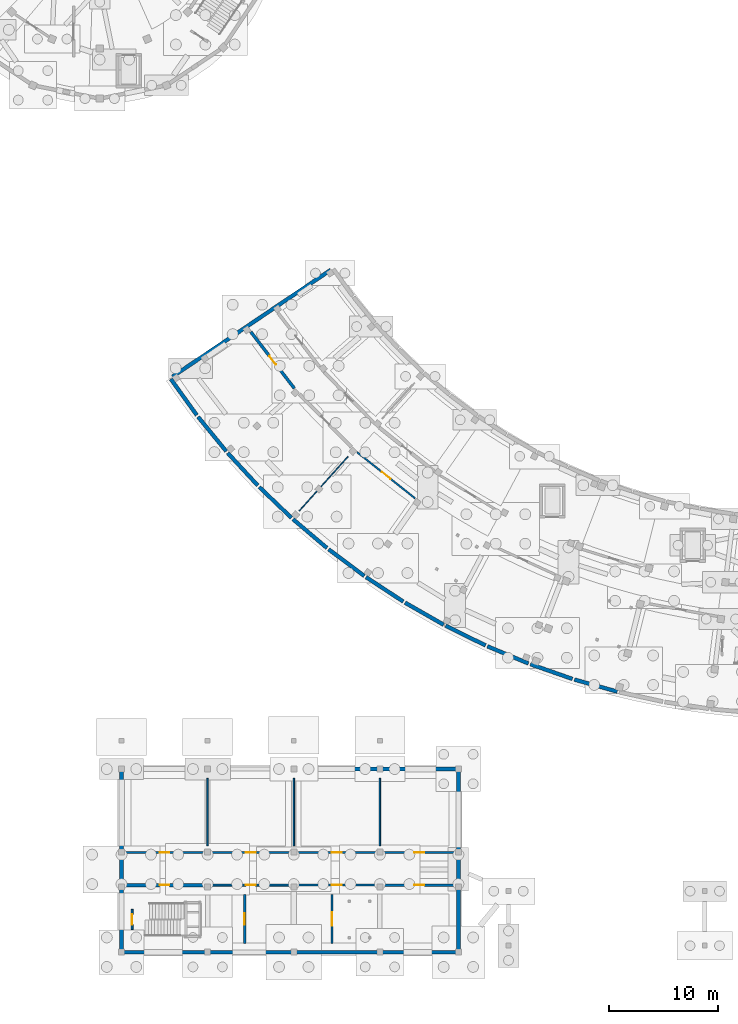
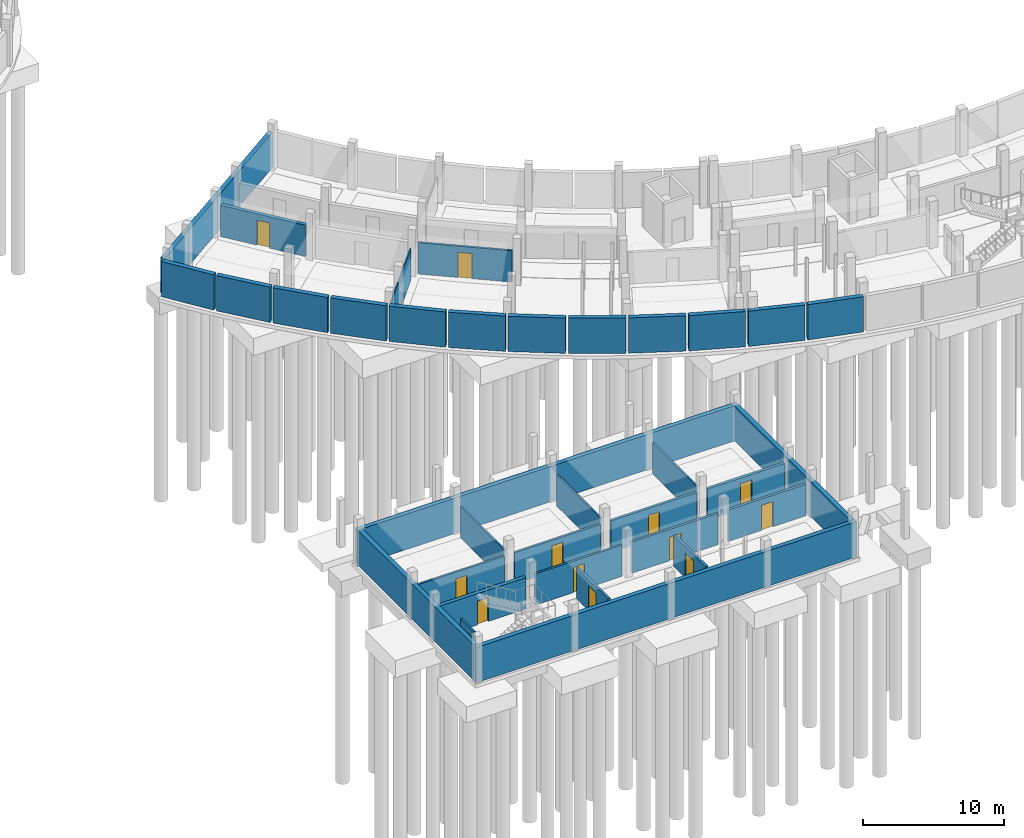
# One storey, part 39 of 58: 34 walls, 13 doors, 13 openings.
"""IFC4 building model written with IfcOpenShell, lengths in metres."""

from ifc_helpers import new_model, si_unit, direction, frame, frame_2d, origin, place, context, subcontext, project, spatial, rectangle, extrude, material, layer, layer_set, type_object, element, fill, save


model = new_model("IFC4")

# Units and contexts
model_context = context("Model", 3, precision=1e-05, world=origin(), true_north=direction((0.0, 1.0)))
body_context = subcontext(model_context, "Body", "Model", "MODEL_VIEW")
ifc_project = project(units=[si_unit("LENGTHUNIT", "METRE"), si_unit("AREAUNIT", "SQUARE_METRE"), si_unit("VOLUMEUNIT", "CUBIC_METRE"), si_unit("PLANEANGLEUNIT", "RADIAN"), si_unit("MASSUNIT", "GRAM", prefix="KILO")], contexts=[model_context])

# Site, building, storey
site_placement = place(None, origin())
site = spatial("IfcSite", under=ifc_project, at=site_placement, CompositionType="ELEMENT")
building_placement = place(site_placement, origin())
building = spatial("IfcBuilding", under=site, at=building_placement, Name="Caldaven Crescent School", CompositionType="ELEMENT")
storey_placement = place(building_placement, frame((0.0, 0.0, -4.080078125)))
storey = spatial("IfcBuildingStorey", under=building, at=storey_placement, Name="B1", CompositionType="ELEMENT", Elevation=-4.080078125)

# Wall, opening, door
ifc_material_1 = material(Name="Acoustic timber-stud and fire-rated gypsum board assembly", Category="wood")
ifc_layer_1 = layer(ifc_material_1, 0.159912109375)
ifc_layer_set_1 = layer_set([ifc_layer_1], Name="Acoustic timber-stud and fire-rated gypsum board assembly")
wall_type_1 = type_object("IfcWallType", Name="WAL-IW01", PredefinedType="STANDARD", material=ifc_layer_set_1)
wall_1_placement = place(storey_placement, frame((25.919921875, 13.35009765625, 0.0), z_axis=(0.0, 0.0, 1.0), x_axis=(1.0, 0.0, 0.0)))
wall_1 = element("IfcWall", 1, at=wall_1_placement, inside=storey, type_object=wall_type_1, Name="IW-B1-0096", PredefinedType="STANDARD", context=body_context, shape_type="SweptSolid", body=[
    extrude(rectangle(XDim=7.06005859375, YDim=0.159912109375, at=frame_2d((3.530029296875, 0.0))), origin(), (0.0, 0.0, 1.0), 2.719970703125),
])
opening_1_placement = place(wall_1_placement, frame((3.080078125, 0.0, 0.0)))
opening_1 = element("IfcOpeningElement", 2, at=opening_1_placement, cuts=wall_1, Name="Opening D-B1-I065", PredefinedType="OPENING", context=body_context, shape_type="SweptSolid", body=[
    extrude(rectangle(XDim=0.89990234375, YDim=2.1201171875, at=frame_2d((0.449951171875, 1.06005859375))), frame((0.0, 0.08984375, 0.0), z_axis=(0.0, -1.0, 0.0), x_axis=(1.0, 0.0, 0.0)), (0.0, 0.0, 1.0), 0.179931640625),
])
ifc_material_2 = material(Name="Solid-core Pino Radiata acoustic timber leaf in steel frame", Category="steel")
door_type_1 = type_object("IfcDoorType", Name="DOR-ID06", OperationType="NOTDEFINED", PredefinedType="DOOR", material=ifc_material_2)
door_1_placement = place(opening_1_placement, frame((0.89990234375, 0.0, 0.0), z_axis=(0.0, 0.0, 1.0), x_axis=(-1.0, 0.0, 0.0)))
door_1 = element("IfcDoor", 3, at=door_1_placement, inside=storey, type_object=door_type_1, Name="DOR-INT-B1-0065", OperationType="SINGLE_SWING_RIGHT", OverallHeight=2.1201171875, OverallWidth=0.89990234375, PredefinedType="DOOR", context=body_context, shape_type="SweptSolid", body=[
    extrude(rectangle(XDim=0.89990234375, YDim=2.1201171875, at=frame_2d((0.449951171875, 1.06005859375))), frame((0.0, 0.02490234375, 0.0), z_axis=(0.0, -1.0, 0.0), x_axis=(1.0, 0.0, 0.0)), (0.0, 0.0, 1.0), 0.050048828125),
])
fill(opening_1, door_1)

wall_2_placement = place(storey_placement, frame((47.11669921875, 50.0576171875, 0.0), z_axis=(0.0, 0.0, 1.0), x_axis=(0.782615780998, -0.622505051653, 0.0)))
wall_2 = element("IfcWall", 4, at=wall_2_placement, inside=storey, type_object=wall_type_1, Name="IW-B1-0144", PredefinedType="STANDARD", context=body_context, shape_type="SweptSolid", body=[
    extrude(rectangle(XDim=6.79150390625, YDim=0.159912109375, at=frame_2d((3.395751953125, 0.0))), origin(), (0.0, 0.0, 1.0), 2.719970703125),
])
opening_2_placement = place(wall_2_placement, frame((2.8857421875, 0.0, 0.0)))
opening_2 = element("IfcOpeningElement", 5, at=opening_2_placement, cuts=wall_2, Name="Opening D-B1-I098", PredefinedType="OPENING", context=body_context, shape_type="SweptSolid", body=[
    extrude(rectangle(XDim=1.02001953125, YDim=2.179931640625, at=frame_2d((0.510009765625, 1.08984375))), frame((0.0, 0.08984375, 0.0), z_axis=(0.0, -1.0, 0.0), x_axis=(1.0, 0.0, 0.0)), (0.0, 0.0, 1.0), 0.179931640625),
])
door_type_2 = type_object("IfcDoorType", Name="DOR-ID19", OperationType="NOTDEFINED", PredefinedType="DOOR", material=ifc_material_2)
door_2_placement = place(opening_2_placement, origin())
door_2 = element("IfcDoor", 6, at=door_2_placement, inside=storey, type_object=door_type_2, Name="DOR-INT-B1-0098", OperationType="SINGLE_SWING_LEFT", OverallHeight=2.179931640625, OverallWidth=1.02001953125, PredefinedType="DOOR", context=body_context, shape_type="SweptSolid", body=[
    extrude(rectangle(XDim=1.02001953125, YDim=2.179931640625, at=frame_2d((0.510009765625, 1.08984375))), frame((0.0, 0.02490234375, 0.0), z_axis=(0.0, -1.0, 0.0), x_axis=(1.0, 0.0, 0.0)), (0.0, 0.0, 1.0), 0.050048828125),
])
fill(opening_2, door_2)

ifc_layer_2 = layer(ifc_material_1, 0.169921875)
ifc_layer_set_2 = layer_set([ifc_layer_2], Name="Acoustic timber-stud and fire-rated gypsum board assembly")
wall_type_2 = type_object("IfcWallType", Name="WAL-IW02", PredefinedType="STANDARD", material=ifc_layer_set_2)
wall_3_placement = place(storey_placement, frame((26.469970703125, 6.280029296875, 0.0), z_axis=(0.0, 0.0, 1.0), x_axis=(0.0, 1.0, 0.0)))
wall_3 = element("IfcWall", 7, at=wall_3_placement, inside=storey, type_object=wall_type_2, Name="IW-ST-STB2-B1", PredefinedType="STANDARD", context=body_context, shape_type="SweptSolid", body=[
    extrude(rectangle(XDim=1.840087890625, YDim=0.169921875, at=frame_2d((0.919921875, 0.0))), origin(), (0.0, 0.0, 1.0), 2.719970703125),
])
opening_3_placement = place(wall_3_placement, frame((0.429931640625, 0.0, 0.0)))
opening_3 = element("IfcOpeningElement", 8, at=opening_3_placement, cuts=wall_3, Name="Opening FD-STB2-B1", PredefinedType="OPENING", context=body_context, shape_type="SweptSolid", body=[
    extrude(rectangle(XDim=0.97998046875, YDim=2.139892578125, at=frame_2d((0.489990234375, 1.06982421875))), frame((0.0, 0.094970703125, 0.0), z_axis=(0.0, -1.0, 0.0), x_axis=(1.0, 0.0, 0.0)), (0.0, 0.0, 1.0), 0.18994140625),
])
ifc_material_3 = material(Name="Acoustic fire-rated steel-framed hardwood leaf", Category="steel")
door_type_3 = type_object("IfcDoorType", Name="DOR-FD02", OperationType="NOTDEFINED", PredefinedType="DOOR", material=ifc_material_3)
door_3_placement = place(opening_3_placement, frame((0.97998046875, 0.0, 0.0), z_axis=(0.0, 0.0, 1.0), x_axis=(-1.0, 0.0, 0.0)))
door_3 = element("IfcDoor", 9, at=door_3_placement, inside=storey, type_object=door_type_3, Name="DOR-ST-STB2-B1", OperationType="SINGLE_SWING_LEFT", OverallHeight=2.139892578125, OverallWidth=0.97998046875, PredefinedType="DOOR", context=body_context, shape_type="SweptSolid", body=[
    extrude(rectangle(XDim=0.97998046875, YDim=2.139892578125, at=frame_2d((0.489990234375, 1.06982421875))), frame((0.0, 0.02490234375, 0.0), z_axis=(0.0, -1.0, 0.0), x_axis=(1.0, 0.0, 0.0)), (0.0, 0.0, 1.0), 0.050048828125),
])
fill(opening_3, door_3)

wall_4_placement = place(storey_placement, frame((33.820068359375, 10.35009765625, 0.0), z_axis=(0.0, 0.0, 1.0), x_axis=(1.0, 0.0, 0.0)))
wall_4 = element("IfcWall", 10, at=wall_4_placement, inside=storey, type_object=wall_type_2, Name="IW-B1-0097", PredefinedType="STANDARD", context=body_context, shape_type="SweptSolid", body=[
    extrude(rectangle(XDim=7.059814453125, YDim=0.169921875, at=frame_2d((3.52978515625, 0.0))), origin(), (0.0, 0.0, 1.0), 2.719970703125),
])
opening_4_placement = place(wall_4_placement, frame((3.080078125, 0.0, 0.0)))
opening_4 = element("IfcOpeningElement", 11, at=opening_4_placement, cuts=wall_4, Name="Opening D-B1-I066", PredefinedType="OPENING", context=body_context, shape_type="SweptSolid", body=[
    extrude(rectangle(XDim=0.89990234375, YDim=2.179931640625, at=frame_2d((0.449951171875, 1.08984375))), frame((0.0, 0.094970703125, 0.0), z_axis=(0.0, -1.0, 0.0), x_axis=(1.0, 0.0, 0.0)), (0.0, 0.0, 1.0), 0.18994140625),
])
door_type_4 = type_object("IfcDoorType", Name="DOR-ID07", OperationType="NOTDEFINED", PredefinedType="DOOR", material=ifc_material_2)
door_4_placement = place(opening_4_placement, origin())
door_4 = element("IfcDoor", 12, at=door_4_placement, inside=storey, type_object=door_type_4, Name="DOR-INT-B1-0066", OperationType="SINGLE_SWING_LEFT", OverallHeight=2.179931640625, OverallWidth=0.89990234375, PredefinedType="DOOR", context=body_context, shape_type="SweptSolid", body=[
    extrude(rectangle(XDim=0.89990234375, YDim=2.179931640625, at=frame_2d((0.449951171875, 1.08984375))), frame((0.0, 0.02490234375, 0.0), z_axis=(0.0, -1.0, 0.0), x_axis=(1.0, 0.0, 0.0)), (0.0, 0.0, 1.0), 0.050048828125),
])
fill(opening_4, door_4)

ifc_layer_3 = layer(ifc_material_1, 0.179931640625)
ifc_layer_set_3 = layer_set([ifc_layer_3], Name="Acoustic timber-stud and fire-rated gypsum board assembly")
wall_type_3 = type_object("IfcWallType", Name="WAL-IW03", PredefinedType="STANDARD", material=ifc_layer_set_3)
wall_5_placement = place(storey_placement, frame((33.820068359375, 13.35009765625, 0.0), z_axis=(0.0, 0.0, 1.0), x_axis=(1.0, 0.0, 0.0)))
wall_5 = element("IfcWall", 13, at=wall_5_placement, inside=storey, type_object=wall_type_3, Name="IW-B1-0098", PredefinedType="STANDARD", context=body_context, shape_type="SweptSolid", body=[
    extrude(rectangle(XDim=7.059814453125, YDim=0.179931640625, at=frame_2d((3.52978515625, 0.0))), origin(), (0.0, 0.0, 1.0), 2.719970703125),
])
opening_5_placement = place(wall_5_placement, frame((3.080078125, 0.0, 0.0)))
opening_5 = element("IfcOpeningElement", 14, at=opening_5_placement, cuts=wall_5, Name="Opening D-B1-I067", PredefinedType="OPENING", context=body_context, shape_type="SweptSolid", body=[
    extrude(rectangle(XDim=0.89990234375, YDim=2.239990234375, at=frame_2d((0.449951171875, 1.1201171875))), frame((0.0, 0.099853515625, 0.0), z_axis=(0.0, -1.0, 0.0), x_axis=(1.0, 0.0, 0.0)), (0.0, 0.0, 1.0), 0.199951171875),
])
door_type_5 = type_object("IfcDoorType", Name="DOR-ID08", OperationType="NOTDEFINED", PredefinedType="DOOR", material=ifc_material_2)
door_5_placement = place(opening_5_placement, frame((0.89990234375, 0.0, 0.0), z_axis=(0.0, 0.0, 1.0), x_axis=(-1.0, 0.0, 0.0)))
door_5 = element("IfcDoor", 15, at=door_5_placement, inside=storey, type_object=door_type_5, Name="DOR-INT-B1-0067", OperationType="SINGLE_SWING_RIGHT", OverallHeight=2.239990234375, OverallWidth=0.89990234375, PredefinedType="DOOR", context=body_context, shape_type="SweptSolid", body=[
    extrude(rectangle(XDim=0.89990234375, YDim=2.239990234375, at=frame_2d((0.449951171875, 1.1201171875))), frame((0.0, 0.02490234375, 0.0), z_axis=(0.0, -1.0, 0.0), x_axis=(1.0, 0.0, 0.0)), (0.0, 0.0, 1.0), 0.050048828125),
])
fill(opening_5, door_5)

ifc_layer_4 = layer(ifc_material_1, 0.18994140625)
ifc_layer_set_4 = layer_set([ifc_layer_4], Name="Acoustic timber-stud and fire-rated gypsum board assembly")
wall_type_4 = type_object("IfcWallType", Name="WAL-IW04", PredefinedType="STANDARD", material=ifc_layer_set_4)
wall_6_placement = place(storey_placement, frame((36.800048828125, 5.0, 0.0), z_axis=(0.0, 0.0, 1.0), x_axis=(0.0, 1.0, 0.0)))
wall_6 = element("IfcWall", 16, at=wall_6_placement, inside=storey, type_object=wall_type_4, Name="IW-FD-04", PredefinedType="STANDARD", context=body_context, shape_type="SweptSolid", body=[
    extrude(rectangle(XDim=4.5, YDim=0.18994140625, at=frame_2d((2.25, 0.0))), origin(), (0.0, 0.0, 1.0), 2.719970703125),
])
opening_6_placement = place(wall_6_placement, frame((1.7099609375, 0.0, 0.0)))
opening_6 = element("IfcOpeningElement", 17, at=opening_6_placement, cuts=wall_6, Name="Opening FD-X04", PredefinedType="OPENING", context=body_context, shape_type="SweptSolid", body=[
    extrude(rectangle(XDim=1.080078125, YDim=2.159912109375, at=frame_2d((0.5400390625, 1.080078125))), frame((0.0, 0.10498046875, 0.0), z_axis=(0.0, -1.0, 0.0), x_axis=(1.0, 0.0, 0.0)), (0.0, 0.0, 1.0), 0.2099609375),
])
door_type_6 = type_object("IfcDoorType", Name="DOR-FD04", OperationType="NOTDEFINED", PredefinedType="DOOR", material=ifc_material_3)
door_6_placement = place(opening_6_placement, frame((1.080078125, 0.0, 0.0), z_axis=(0.0, 0.0, 1.0), x_axis=(-1.0, 0.0, 0.0)))
door_6 = element("IfcDoor", 18, at=door_6_placement, inside=storey, type_object=door_type_6, Name="DOR-FD-EXTRA-04", OperationType="DOUBLE_DOOR_SINGLE_SWING", OverallHeight=2.159912109375, OverallWidth=1.080078125, PredefinedType="DOOR", context=body_context, shape_type="SweptSolid", body=[
    extrude(rectangle(XDim=1.080078125, YDim=2.159912109375, at=frame_2d((0.5400390625, 1.080078125))), frame((0.0, 0.02490234375, 0.0), z_axis=(0.0, -1.0, 0.0), x_axis=(1.0, 0.0, 0.0)), (0.0, 0.0, 1.0), 0.050048828125),
])
fill(opening_6, door_6)

wall_7_placement = place(storey_placement, frame((41.719970703125, 10.35009765625, 0.0), z_axis=(0.0, 0.0, 1.0), x_axis=(1.0, 0.0, 0.0)))
wall_7 = element("IfcWall", 19, at=wall_7_placement, inside=storey, type_object=wall_type_4, Name="IW-B1-0099", PredefinedType="STANDARD", context=body_context, shape_type="SweptSolid", body=[
    extrude(rectangle(XDim=7.06005859375, YDim=0.18994140625, at=frame_2d((3.530029296875, 0.0))), origin(), (0.0, 0.0, 1.0), 2.719970703125),
])
opening_7_placement = place(wall_7_placement, frame((3.06005859375, 0.0, 0.0)))
opening_7 = element("IfcOpeningElement", 20, at=opening_7_placement, cuts=wall_7, Name="Opening D-B1-I068", PredefinedType="OPENING", context=body_context, shape_type="SweptSolid", body=[
    extrude(rectangle(XDim=0.93994140625, YDim=2.06005859375, at=frame_2d((0.469970703125, 1.030029296875))), frame((0.0, 0.10498046875, 0.0), z_axis=(0.0, -1.0, 0.0), x_axis=(1.0, 0.0, 0.0)), (0.0, 0.0, 1.0), 0.2099609375),
])
door_type_7 = type_object("IfcDoorType", Name="DOR-ID09", OperationType="NOTDEFINED", PredefinedType="DOOR", material=ifc_material_2)
door_7_placement = place(opening_7_placement, origin())
door_7 = element("IfcDoor", 21, at=door_7_placement, inside=storey, type_object=door_type_7, Name="DOR-INT-B1-0068", OperationType="SINGLE_SWING_LEFT", OverallHeight=2.06005859375, OverallWidth=0.93994140625, PredefinedType="DOOR", context=body_context, shape_type="SweptSolid", body=[
    extrude(rectangle(XDim=0.93994140625, YDim=2.06005859375, at=frame_2d((0.469970703125, 1.030029296875))), frame((0.0, 0.02490234375, 0.0), z_axis=(0.0, -1.0, 0.0), x_axis=(1.0, 0.0, 0.0)), (0.0, 0.0, 1.0), 0.050048828125),
])
fill(opening_7, door_7)

ifc_layer_5 = layer(ifc_material_1, 0.199951171875)
ifc_layer_set_5 = layer_set([ifc_layer_5], Name="Acoustic timber-stud and fire-rated gypsum board assembly")
wall_type_5 = type_object("IfcWallType", Name="WAL-IW05", PredefinedType="STANDARD", material=ifc_layer_set_5)
wall_8_placement = place(storey_placement, frame((41.719970703125, 13.35009765625, 0.0), z_axis=(0.0, 0.0, 1.0), x_axis=(1.0, 0.0, 0.0)))
wall_8 = element("IfcWall", 22, at=wall_8_placement, inside=storey, type_object=wall_type_5, Name="IW-B1-0100", PredefinedType="STANDARD", context=body_context, shape_type="SweptSolid", body=[
    extrude(rectangle(XDim=7.06005859375, YDim=0.199951171875, at=frame_2d((3.530029296875, 0.0))), origin(), (0.0, 0.0, 1.0), 2.719970703125),
])
opening_8_placement = place(wall_8_placement, frame((3.06005859375, 0.0, 0.0)))
opening_8 = element("IfcOpeningElement", 23, at=opening_8_placement, cuts=wall_8, Name="Opening D-B1-I069", PredefinedType="OPENING", context=body_context, shape_type="SweptSolid", body=[
    extrude(rectangle(XDim=0.93994140625, YDim=2.1201171875, at=frame_2d((0.469970703125, 1.06005859375))), frame((0.0, 0.10986328125, 0.0), z_axis=(0.0, -1.0, 0.0), x_axis=(1.0, 0.0, 0.0)), (0.0, 0.0, 1.0), 0.219970703125),
])
door_type_8 = type_object("IfcDoorType", Name="DOR-ID10", OperationType="NOTDEFINED", PredefinedType="DOOR", material=ifc_material_2)
door_8_placement = place(opening_8_placement, frame((0.93994140625, 0.0, 0.0), z_axis=(0.0, 0.0, 1.0), x_axis=(-1.0, 0.0, 0.0)))
door_8 = element("IfcDoor", 24, at=door_8_placement, inside=storey, type_object=door_type_8, Name="DOR-INT-B1-0069", OperationType="SINGLE_SWING_RIGHT", OverallHeight=2.1201171875, OverallWidth=0.93994140625, PredefinedType="DOOR", context=body_context, shape_type="SweptSolid", body=[
    extrude(rectangle(XDim=0.93994140625, YDim=2.1201171875, at=frame_2d((0.469970703125, 1.06005859375))), frame((0.0, 0.02490234375, 0.0), z_axis=(0.0, -1.0, 0.0), x_axis=(1.0, 0.0, 0.0)), (0.0, 0.0, 1.0), 0.050048828125),
])
fill(opening_8, door_8)

ifc_layer_6 = layer(ifc_material_1, 0.2099609375)
ifc_layer_set_6 = layer_set([ifc_layer_6], Name="Acoustic timber-stud and fire-rated gypsum board assembly")
wall_type_6 = type_object("IfcWallType", Name="WAL-IW06", PredefinedType="STANDARD", material=ifc_layer_set_6)
wall_9_placement = place(storey_placement, frame((44.800048828125, 5.0, 0.0), z_axis=(0.0, 0.0, 1.0), x_axis=(0.0, 1.0, 0.0)))
wall_9 = element("IfcWall", 25, at=wall_9_placement, inside=storey, type_object=wall_type_6, Name="IW-FD-06", PredefinedType="STANDARD", context=body_context, shape_type="SweptSolid", body=[
    extrude(rectangle(XDim=4.5, YDim=0.2099609375, at=frame_2d((2.25, 0.0))), origin(), (0.0, 0.0, 1.0), 2.719970703125),
])
opening_9_placement = place(wall_9_placement, frame((1.639892578125, 0.0, 0.0)))
opening_9 = element("IfcOpeningElement", 26, at=opening_9_placement, cuts=wall_9, Name="Opening FD-X06", PredefinedType="OPENING", context=body_context, shape_type="SweptSolid", body=[
    extrude(rectangle(XDim=1.219970703125, YDim=2.179931640625, at=frame_2d((0.60986328125, 1.08984375))), frame((0.0, 0.114990234375, 0.0), z_axis=(0.0, -1.0, 0.0), x_axis=(1.0, 0.0, 0.0)), (0.0, 0.0, 1.0), 0.22998046875),
])
door_type_9 = type_object("IfcDoorType", Name="DOR-FD06", OperationType="NOTDEFINED", PredefinedType="DOOR", material=ifc_material_3)
door_9_placement = place(opening_9_placement, frame((1.219970703125, 0.0, 0.0), z_axis=(0.0, 0.0, 1.0), x_axis=(-1.0, 0.0, 0.0)))
door_9 = element("IfcDoor", 27, at=door_9_placement, inside=storey, type_object=door_type_9, Name="DOR-FD-EXTRA-06", OperationType="DOUBLE_DOOR_SINGLE_SWING", OverallHeight=2.179931640625, OverallWidth=1.219970703125, PredefinedType="DOOR", context=body_context, shape_type="SweptSolid", body=[
    extrude(rectangle(XDim=1.219970703125, YDim=2.179931640625, at=frame_2d((0.60986328125, 1.08984375))), frame((0.0, 0.02490234375, 0.0), z_axis=(0.0, -1.0, 0.0), x_axis=(1.0, 0.0, 0.0)), (0.0, 0.0, 1.0), 0.050048828125),
])
fill(opening_9, door_9)

wall_10_placement = place(storey_placement, frame((49.6201171875, 10.35009765625, 0.0), z_axis=(0.0, 0.0, 1.0), x_axis=(1.0, 0.0, 0.0)))
wall_10 = element("IfcWall", 28, at=wall_10_placement, inside=storey, type_object=wall_type_6, Name="IW-B1-0101", PredefinedType="STANDARD", context=body_context, shape_type="SweptSolid", body=[
    extrude(rectangle(XDim=6.35986328125, YDim=0.2099609375, at=frame_2d((3.179931640625, 0.0))), origin(), (0.0, 0.0, 1.0), 2.719970703125),
])
opening_10_placement = place(wall_10_placement, frame((2.7099609375, 0.0, 0.0)))
opening_10 = element("IfcOpeningElement", 29, at=opening_10_placement, cuts=wall_10, Name="Opening D-B1-I070", PredefinedType="OPENING", context=body_context, shape_type="SweptSolid", body=[
    extrude(rectangle(XDim=0.93994140625, YDim=2.179931640625, at=frame_2d((0.469970703125, 1.08984375))), frame((0.0, 0.114990234375, 0.0), z_axis=(0.0, -1.0, 0.0), x_axis=(1.0, 0.0, 0.0)), (0.0, 0.0, 1.0), 0.22998046875),
])
door_type_10 = type_object("IfcDoorType", Name="DOR-ID11", OperationType="NOTDEFINED", PredefinedType="DOOR", material=ifc_material_2)
door_10_placement = place(opening_10_placement, origin())
door_10 = element("IfcDoor", 30, at=door_10_placement, inside=storey, type_object=door_type_10, Name="DOR-INT-B1-0070", OperationType="SINGLE_SWING_LEFT", OverallHeight=2.179931640625, OverallWidth=0.93994140625, PredefinedType="DOOR", context=body_context, shape_type="SweptSolid", body=[
    extrude(rectangle(XDim=0.93994140625, YDim=2.179931640625, at=frame_2d((0.469970703125, 1.08984375))), frame((0.0, 0.02490234375, 0.0), z_axis=(0.0, -1.0, 0.0), x_axis=(1.0, 0.0, 0.0)), (0.0, 0.0, 1.0), 0.050048828125),
])
fill(opening_10, door_10)

ifc_layer_7 = layer(ifc_material_1, 0.219970703125)
ifc_layer_set_7 = layer_set([ifc_layer_7], Name="Acoustic timber-stud and fire-rated gypsum board assembly")
wall_type_7 = type_object("IfcWallType", Name="WAL-IW07", PredefinedType="STANDARD", material=ifc_layer_set_7)
wall_11_placement = place(storey_placement, frame((49.6201171875, 13.35009765625, 0.0), z_axis=(0.0, 0.0, 1.0), x_axis=(1.0, 0.0, 0.0)))
wall_11 = element("IfcWall", 31, at=wall_11_placement, inside=storey, type_object=wall_type_7, Name="IW-B1-0102", PredefinedType="STANDARD", context=body_context, shape_type="SweptSolid", body=[
    extrude(rectangle(XDim=6.35986328125, YDim=0.219970703125, at=frame_2d((3.179931640625, 0.0))), origin(), (0.0, 0.0, 1.0), 2.719970703125),
])
opening_11_placement = place(wall_11_placement, frame((2.7099609375, 0.0, 0.0)))
opening_11 = element("IfcOpeningElement", 32, at=opening_11_placement, cuts=wall_11, Name="Opening D-B1-I071", PredefinedType="OPENING", context=body_context, shape_type="SweptSolid", body=[
    extrude(rectangle(XDim=0.93994140625, YDim=2.239990234375, at=frame_2d((0.469970703125, 1.1201171875))), frame((0.0, 0.119873046875, 0.0), z_axis=(0.0, -1.0, 0.0), x_axis=(1.0, 0.0, 0.0)), (0.0, 0.0, 1.0), 0.239990234375),
])
door_type_11 = type_object("IfcDoorType", Name="DOR-ID12", OperationType="NOTDEFINED", PredefinedType="DOOR", material=ifc_material_2)
door_11_placement = place(opening_11_placement, frame((0.93994140625, 0.0, 0.0), z_axis=(0.0, 0.0, 1.0), x_axis=(-1.0, 0.0, 0.0)))
door_11 = element("IfcDoor", 33, at=door_11_placement, inside=storey, type_object=door_type_11, Name="DOR-INT-B1-0071", OperationType="SINGLE_SWING_RIGHT", OverallHeight=2.239990234375, OverallWidth=0.93994140625, PredefinedType="DOOR", context=body_context, shape_type="SweptSolid", body=[
    extrude(rectangle(XDim=0.93994140625, YDim=2.239990234375, at=frame_2d((0.469970703125, 1.1201171875))), frame((0.0, 0.02490234375, 0.0), z_axis=(0.0, -1.0, 0.0), x_axis=(1.0, 0.0, 0.0)), (0.0, 0.0, 1.0), 0.050048828125),
])
fill(opening_11, door_11)

ifc_material_4 = material(Name="Autoclaved aerated concrete block masonry G5", Category="masonry")
ifc_layer_8 = layer(ifc_material_4, 0.280029296875)
ifc_layer_set_8 = layer_set([ifc_layer_8], Name="Autoclaved aerated concrete block masonry G5")
wall_type_8 = type_object("IfcWallType", Name="WAL-IW13", PredefinedType="STANDARD", material=ifc_layer_set_8)
wall_12_placement = place(storey_placement, frame((37.35888671875, 61.1044921875, 0.0), z_axis=(0.0, 0.0, 1.0), x_axis=(0.610378079511, -0.792110219637, 0.0)))
wall_12 = element("IfcWall", 34, at=wall_12_placement, inside=storey, type_object=wall_type_8, Name="IW-B1-0140", PredefinedType="STANDARD", context=body_context, shape_type="SweptSolid", body=[
    extrude(rectangle(XDim=6.539794921875, YDim=0.280029296875, at=frame_2d((3.27001953125, 0.0))), origin(), (0.0, 0.0, 1.0), 2.719970703125),
])
opening_12_placement = place(wall_12_placement, frame((2.77978515625, 0.0, 0.0)))
opening_12 = element("IfcOpeningElement", 35, at=opening_12_placement, cuts=wall_12, Name="Opening D-B1-I094", PredefinedType="OPENING", context=body_context, shape_type="SweptSolid", body=[
    extrude(rectangle(XDim=0.97998046875, YDim=2.179931640625, at=frame_2d((0.489990234375, 1.08984375))), frame((0.0, 0.14990234375, 0.0), z_axis=(0.0, -1.0, 0.0), x_axis=(1.0, 0.0, 0.0)), (0.0, 0.0, 1.0), 0.300048828125),
])
door_type_12 = type_object("IfcDoorType", Name="DOR-ID15", OperationType="NOTDEFINED", PredefinedType="DOOR", material=ifc_material_2)
door_12_placement = place(opening_12_placement, origin())
door_12 = element("IfcDoor", 36, at=door_12_placement, inside=storey, type_object=door_type_12, Name="DOR-INT-B1-0094", OperationType="SINGLE_SWING_LEFT", OverallHeight=2.179931640625, OverallWidth=0.97998046875, PredefinedType="DOOR", context=body_context, shape_type="SweptSolid", body=[
    extrude(rectangle(XDim=0.97998046875, YDim=2.179931640625, at=frame_2d((0.489990234375, 1.08984375))), frame((0.0, 0.02490234375, 0.0), z_axis=(0.0, -1.0, 0.0), x_axis=(1.0, 0.0, 0.0)), (0.0, 0.0, 1.0), 0.050048828125),
])
fill(opening_12, door_12)

ifc_layer_9 = layer(ifc_material_4, 0.31005859375)
ifc_layer_set_9 = layer_set([ifc_layer_9], Name="Autoclaved aerated concrete block masonry G5")
wall_type_9 = type_object("IfcWallType", Name="WAL-IW16", PredefinedType="STANDARD", material=ifc_layer_set_9)
wall_13_placement = place(storey_placement, frame((25.919921875, 10.35009765625, 0.0), z_axis=(0.0, 0.0, 1.0), x_axis=(1.0, 0.0, 0.0)))
wall_13 = element("IfcWall", 37, at=wall_13_placement, inside=storey, type_object=wall_type_9, Name="IW-B1-0095", PredefinedType="STANDARD", context=body_context, shape_type="SweptSolid", body=[
    extrude(rectangle(XDim=7.06005859375, YDim=0.31005859375, at=frame_2d((3.530029296875, 0.0))), origin(), (0.0, 0.0, 1.0), 2.719970703125),
])
opening_13_placement = place(wall_13_placement, frame((3.080078125, 0.0, 0.0)))
opening_13 = element("IfcOpeningElement", 38, at=opening_13_placement, cuts=wall_13, Name="Opening D-B1-I064", PredefinedType="OPENING", context=body_context, shape_type="SweptSolid", body=[
    extrude(rectangle(XDim=0.89990234375, YDim=2.06005859375, at=frame_2d((0.449951171875, 1.030029296875))), frame((0.0, 0.1650390625, 0.0), z_axis=(0.0, -1.0, 0.0), x_axis=(1.0, 0.0, 0.0)), (0.0, 0.0, 1.0), 0.330078125),
])
door_type_13 = type_object("IfcDoorType", Name="DOR-ID05", OperationType="NOTDEFINED", PredefinedType="DOOR", material=ifc_material_2)
door_13_placement = place(opening_13_placement, origin())
door_13 = element("IfcDoor", 39, at=door_13_placement, inside=storey, type_object=door_type_13, Name="DOR-INT-B1-0064", OperationType="SINGLE_SWING_LEFT", OverallHeight=2.06005859375, OverallWidth=0.89990234375, PredefinedType="DOOR", context=body_context, shape_type="SweptSolid", body=[
    extrude(rectangle(XDim=0.89990234375, YDim=2.06005859375, at=frame_2d((0.449951171875, 1.030029296875))), frame((0.0, 0.02490234375, 0.0), z_axis=(0.0, -1.0, 0.0), x_axis=(1.0, 0.0, 0.0)), (0.0, 0.0, 1.0), 0.050048828125),
])
fill(opening_13, door_13)

# Walls
ifc_material_5 = material(Name="Acoustic double-layer gypsum partition on galvanised steel studs", Category="steel")
ifc_layer_10 = layer(ifc_material_5, 0.097900390625)
ifc_layer_set_10 = layer_set([ifc_layer_10], Name="Acoustic double-layer gypsum partition on galvanised steel studs")
wall_type_10 = type_object("IfcWallType", Name="WAL-PT03", PredefinedType="PARTITIONING", material=ifc_layer_set_10)
wall_14_placement = place(storey_placement, frame((46.27978515625, 49.6650390625, 0.0), z_axis=(0.0, 0.0, 1.0), x_axis=(-0.669115705072, -0.743158242386, 0.0)))
element("IfcWall", 40, at=wall_14_placement, inside=storey, type_object=wall_type_10, Name="IW-B1-0146", PredefinedType="PARTITIONING", context=body_context, shape_type="SweptSolid", body=[
    extrude(rectangle(XDim=6.7001953125, YDim=0.097900390625, at=frame_2d((3.35009765625, 0.0))), origin(), (0.0, 0.0, 1.0), 2.719970703125),
])
ifc_layer_11 = layer(ifc_material_5, 0.1279296875)
ifc_layer_set_11 = layer_set([ifc_layer_11], Name="Acoustic double-layer gypsum partition on galvanised steel studs")
wall_type_11 = type_object("IfcWallType", Name="WAL-PT08", PredefinedType="PARTITIONING", material=ifc_layer_set_11)
wall_15_placement = place(storey_placement, frame((33.39990234375, 13.949951171875, 0.0), z_axis=(0.0, 0.0, 1.0), x_axis=(0.0, 1.0, 0.0)))
element("IfcWall", 41, at=wall_15_placement, inside=storey, type_object=wall_type_11, Name="IW-B1-0103", PredefinedType="PARTITIONING", context=body_context, shape_type="SweptSolid", body=[
    extrude(rectangle(XDim=6.199951171875, YDim=0.1279296875, at=frame_2d((3.10009765625, 0.0))), origin(), (0.0, 0.0, 1.0), 2.719970703125),
])
ifc_layer_12 = layer(ifc_material_5, 0.134033203125)
ifc_layer_set_12 = layer_set([ifc_layer_12], Name="Acoustic double-layer gypsum partition on galvanised steel studs")
wall_type_12 = type_object("IfcWallType", Name="WAL-PT09", PredefinedType="PARTITIONING", material=ifc_layer_set_12)
wall_16_placement = place(storey_placement, frame((41.300048828125, 13.949951171875, 0.0), z_axis=(0.0, 0.0, 1.0), x_axis=(0.0, 1.0, 0.0)))
element("IfcWall", 42, at=wall_16_placement, inside=storey, type_object=wall_type_12, Name="IW-B1-0104", PredefinedType="PARTITIONING", context=body_context, shape_type="SweptSolid", body=[
    extrude(rectangle(XDim=6.199951171875, YDim=0.134033203125, at=frame_2d((3.10009765625, 0.0))), origin(), (0.0, 0.0, 1.0), 2.719970703125),
])
ifc_layer_13 = layer(ifc_material_5, 0.139892578125)
ifc_layer_set_13 = layer_set([ifc_layer_13], Name="Acoustic double-layer gypsum partition on galvanised steel studs")
wall_type_13 = type_object("IfcWallType", Name="WAL-PT10", PredefinedType="PARTITIONING", material=ifc_layer_set_13)
wall_17_placement = place(storey_placement, frame((49.199951171875, 13.949951171875, 0.0), z_axis=(0.0, 0.0, 1.0), x_axis=(0.0, 1.0, 0.0)))
element("IfcWall", 43, at=wall_17_placement, inside=storey, type_object=wall_type_13, Name="IW-B1-0105", PredefinedType="PARTITIONING", context=body_context, shape_type="SweptSolid", body=[
    extrude(rectangle(XDim=6.199951171875, YDim=0.139892578125, at=frame_2d((3.10009765625, 0.0))), origin(), (0.0, 0.0, 1.0), 2.719970703125),
])
ifc_material_6 = material(Name="Concrete C30/37", Category="concrete")
ifc_layer_14 = layer(ifc_material_6, 0.35009765625)
ifc_layer_set_14 = layer_set([ifc_layer_14], Name="Concrete C30/37")
wall_type_14 = type_object("IfcWallType", Name="WAL-RW1", PredefinedType="USERDEFINED", material=ifc_layer_set_14)
for number, where, z_axis, x_axis, name in (
    (44, (25.324951171875, 4.199951171875, 0.0), (0.0, 0.0, 1.0), (1.0, 0.0, 0.0), "RW-V4S-B1-S"),
    (45, (25.324951171875, 21.0, 0.0), (0.0, 0.0, 1.0), (1.0, 0.0, 0.0), "RW-V4S-B1-N"),
):
    element("IfcWall", number, at=place(storey_placement, frame(where, z_axis=z_axis, x_axis=x_axis)), inside=storey, type_object=wall_type_14, Name=name, ObjectType="RETAININGWALL", PredefinedType="USERDEFINED", context=body_context, shape_type="SweptSolid", body=[
        extrude(rectangle(XDim=31.25, YDim=0.35009765625, at=frame_2d((15.625, 0.0))), origin(), (0.0, 0.0, 1.0), 3.065185546875),
    ])
for number, where, z_axis, x_axis, name in (
    (46, (25.5, 4.375, 0.0), (0.0, 0.0, 1.0), (0.0, 1.0, 0.0), "RW-V4S-B1-W"),
    (47, (56.39990234375, 4.375, 0.0), (0.0, 0.0, 1.0), (0.0, 1.0, 0.0), "RW-V4S-B1-E"),
):
    element("IfcWall", number, at=place(storey_placement, frame(where, z_axis=z_axis, x_axis=x_axis)), inside=storey, type_object=wall_type_14, Name=name, ObjectType="RETAININGWALL", PredefinedType="USERDEFINED", context=body_context, shape_type="SweptSolid", body=[
        extrude(rectangle(XDim=16.449951171875, YDim=0.35009765625, at=frame_2d((8.22509765625, 0.0))), origin(), (0.0, 0.0, 1.0), 3.065185546875),
    ])
for number, where, z_axis, x_axis, name in (
    (48, (30.02197265625, 56.775390625, 0.0), (0.0, 0.0, 1.0), (0.584279503148, -0.811552501198, 0.0), "RW-CRESC-OUT-00"),
    (49, (32.52490234375, 53.30908203125, 0.0), (0.0, 0.0, 1.0), (0.632696698526, -0.774399695037, 0.0), "RW-CRESC-OUT-01"),
    (50, (35.234619140625, 50.002197265625, 0.0), (0.0, 0.0, 1.0), (0.678764601476, -0.734355919009, 0.0), "RW-CRESC-OUT-02"),
):
    element("IfcWall", number, at=place(storey_placement, frame(where, z_axis=z_axis, x_axis=x_axis)), inside=storey, type_object=wall_type_14, Name=name, ObjectType="RETAININGWALL", PredefinedType="USERDEFINED", context=body_context, shape_type="SweptSolid", body=[
        extrude(rectangle(XDim=4.079833984375, YDim=0.35009765625, at=frame_2d((2.0400390625, 0.0))), origin(), (0.0, 0.0, 1.0), 3.065185546875),
    ])
wall_18_placement = place(storey_placement, frame((38.14111328125, 46.86669921875, 0.0), z_axis=(0.0, 0.0, 1.0), x_axis=(0.722376692903, -0.691499756725, 0.0)))
element("IfcWall", 51, at=wall_18_placement, inside=storey, type_object=wall_type_14, Name="RW-CRESC-OUT-03", ObjectType="RETAININGWALL", PredefinedType="USERDEFINED", context=body_context, shape_type="SweptSolid", body=[
    extrude(rectangle(XDim=4.080078125, YDim=0.35009765625, at=frame_2d((2.0400390625, 0.0))), origin(), (0.0, 0.0, 1.0), 3.065185546875),
])
for number, where, z_axis, x_axis, name in (
    (52, (41.233642578125, 43.91455078125, 0.0), (0.0, 0.0, 1.0), (0.763204670494, -0.646156816057, 0.0), "RW-CRESC-OUT-04"),
    (53, (44.50048828125, 41.15673828125, 0.0), (0.0, 0.0, 1.0), (0.801247709208, -0.598332774038, 0.0), "RW-CRESC-OUT-05"),
):
    element("IfcWall", number, at=place(storey_placement, frame(where, z_axis=z_axis, x_axis=x_axis)), inside=storey, type_object=wall_type_14, Name=name, ObjectType="RETAININGWALL", PredefinedType="USERDEFINED", context=body_context, shape_type="SweptSolid", body=[
        extrude(rectangle(XDim=4.079833984375, YDim=0.35009765625, at=frame_2d((2.0400390625, 0.0))), origin(), (0.0, 0.0, 1.0), 3.065185546875),
    ])
for number, where, z_axis, x_axis, name in (
    (54, (47.9296875, 38.603271484375, 0.0), (0.0, 0.0, 1.0), (0.836287997373, -0.548290420716, 0.0), "RW-CRESC-OUT-06"),
    (55, (51.508544921875, 36.26416015625, 0.0), (0.0, 0.0, 1.0), (0.868187901771, -0.496235596484, 0.0), "RW-CRESC-OUT-07"),
    (56, (55.223388671875, 34.14794921875, 0.0), (0.0, 0.0, 1.0), (0.896855262405, -0.442324132619, 0.0), "RW-CRESC-OUT-08"),
):
    element("IfcWall", number, at=place(storey_placement, frame(where, z_axis=z_axis, x_axis=x_axis)), inside=storey, type_object=wall_type_14, Name=name, ObjectType="RETAININGWALL", PredefinedType="USERDEFINED", context=body_context, shape_type="SweptSolid", body=[
        extrude(rectangle(XDim=4.080078125, YDim=0.35009765625, at=frame_2d((2.0400390625, 0.0))), origin(), (0.0, 0.0, 1.0), 3.065185546875),
    ])
for number, where, z_axis, x_axis, name in (
    (57, (59.060546875, 32.26220703125, 0.0), (0.0, 0.0, 1.0), (0.922208838333, -0.38669220124, 0.0), "RW-CRESC-OUT-09"),
    (58, (63.005615234375, 30.614501953125, 0.0), (0.0, 0.0, 1.0), (0.94408110525, -0.329713309877, 0.0), "RW-CRESC-OUT-10"),
    (59, (67.0439453125, 29.21044921875, 0.0), (0.0, 0.0, 1.0), (0.962457693032, -0.271431739343, 0.0), "RW-CRESC-OUT-11"),
):
    element("IfcWall", number, at=place(storey_placement, frame(where, z_axis=z_axis, x_axis=x_axis)), inside=storey, type_object=wall_type_14, Name=name, ObjectType="RETAININGWALL", PredefinedType="USERDEFINED", context=body_context, shape_type="SweptSolid", body=[
        extrude(rectangle(XDim=4.079833984375, YDim=0.35009765625, at=frame_2d((2.0400390625, 0.0))), origin(), (0.0, 0.0, 1.0), 3.065185546875),
    ])
wall_19_placement = place(storey_placement, frame((44.682861328125, 66.7822265625, 0.0), z_axis=(0.0, 0.0, 1.0), x_axis=(-0.829039791681, -0.559189613468, 0.0)))
element("IfcWall", 60, at=wall_19_placement, inside=storey, type_object=wall_type_14, Name="RW-CRESC-END-WEST", ObjectType="RETAININGWALL", PredefinedType="USERDEFINED", context=body_context, shape_type="SweptSolid", body=[
    extrude(rectangle(XDim=17.500244140625, YDim=0.35009765625, at=frame_2d((8.75, 0.0))), origin(), (0.0, 0.0, 1.0), 3.065185546875),
])

save(model, "model.ifc")
